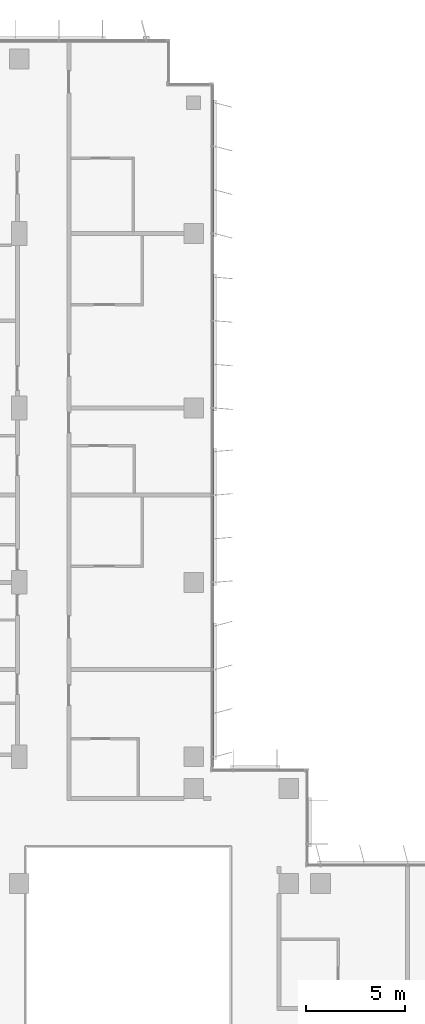
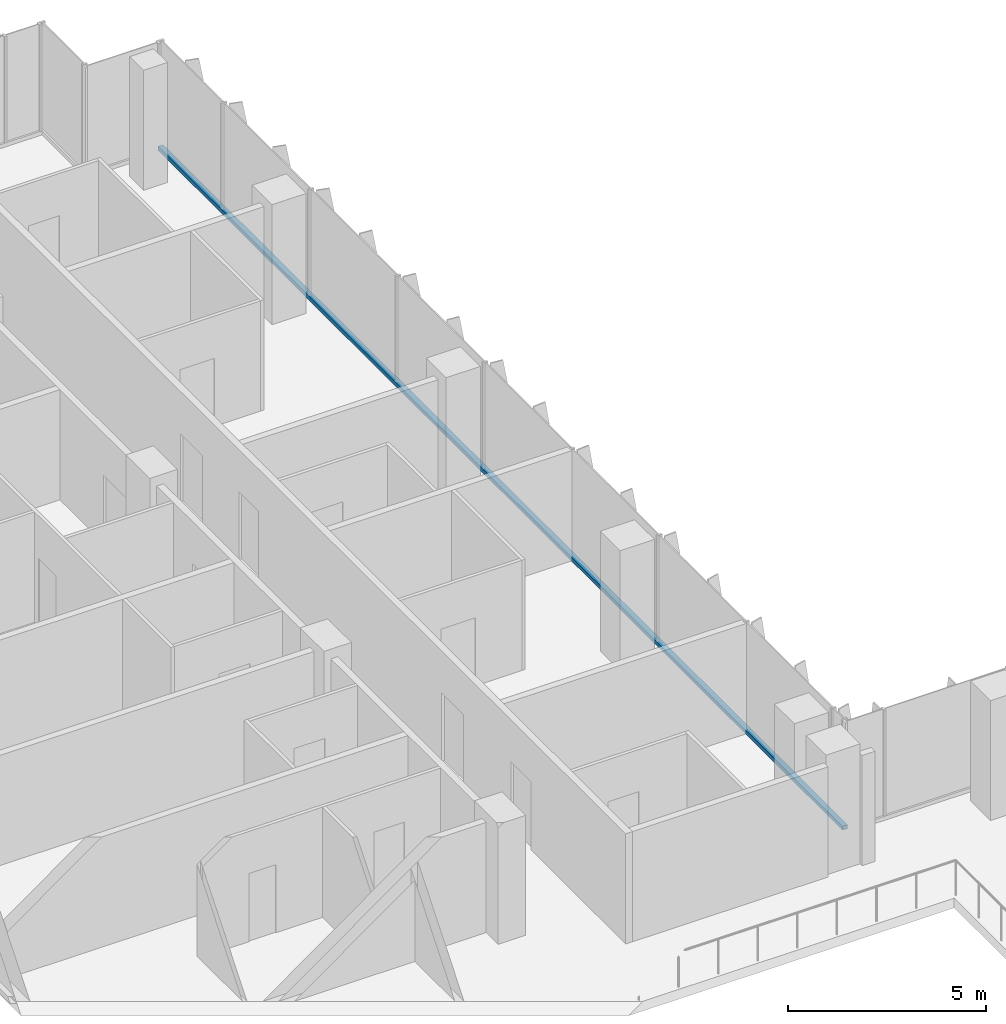
# One storey, part 6 of 21: 1 member, 1 element without a shape of its own.
"""IFC4 building model written with IfcOpenShell, lengths in metres."""

from ifc_helpers import new_model, si_unit, direction, frame, origin, origin_2d, place, context, subcontext, project, spatial, rectangle, extrude, material, material_profile, profile_set, type_object, element, aggregate, save


model = new_model("IFC4")

# Units and contexts
model_context = context("Model", 3, precision=1e-05, world=origin(), true_north=direction((0.0, 1.0)))
body_context = subcontext(model_context, "Body", "Model", "MODEL_VIEW")
ifc_project = project(units=[si_unit("LENGTHUNIT", "METRE"), si_unit("AREAUNIT", "SQUARE_METRE"), si_unit("VOLUMEUNIT", "CUBIC_METRE"), si_unit("PLANEANGLEUNIT", "RADIAN"), si_unit("MASSUNIT", "GRAM", prefix="KILO")], contexts=[model_context])

# Site, building, storey
site_placement = place(None, origin())
site = spatial("IfcSite", under=ifc_project, at=site_placement, CompositionType="ELEMENT")
building_placement = place(site_placement, origin())
building = spatial("IfcBuilding", under=site, at=building_placement, Name="Kemantara Hotel Tower", CompositionType="ELEMENT")
storey_placement = place(building_placement, frame((0.0, 0.0, 179.0)))
storey = spatial("IfcBuildingStorey", under=building, at=storey_placement, Name="L44", CompositionType="ELEMENT", Elevation=179.0)

# Curtain wall, member
ifc_material_1 = material(Name="Low-E tinted double insulated glass 36 mm", Category="glass")
curtain_wall_type = type_object("IfcCurtainWallType", Name="TOWER CURTAIN WALL, FRONT FACES", PredefinedType="USERDEFINED", material=ifc_material_1)
curtain_wall_placement = place(storey_placement, origin())
curtain_wall = element("IfcCurtainWall", 1, at=curtain_wall_placement, inside=storey, type_object=curtain_wall_type, Name="CW4 L44 T3-R17-1", ObjectType="TOWER CURTAIN WALL, FRONT FACES", PredefinedType="USERDEFINED")
ifc_material_2 = material(Name="Aluminium 6063-T6 bronze anodised", Category="aluminium")
ifc_material_profile = material_profile(ifc_material_2, rectangle(XDim=0.14990234375, YDim=0.1201171875, at=origin_2d()), Name="TOWER CURTAIN WALL, FRONT FACES TRANSOM")
ifc_profile_set = profile_set([ifc_material_profile], Name="Aluminium 6063-T6 bronze anodised")
member_type = type_object("IfcMemberType", Name="TOWER CURTAIN WALL, FRONT FACES TRANSOM", PredefinedType="USERDEFINED", material=ifc_profile_set)
member_placement = place(storey_placement, frame((21.925048828125, 26.800048828125, 0.06005859375), z_axis=(0.0, 1.0, 0.0), x_axis=(-1.0, 0.0, 0.0)))
member = element("IfcMember", 2, at=member_placement, type_object=member_type, Name="CW4 sill transom T3-R17-1", ObjectType="TRANSOM", PredefinedType="USERDEFINED", context=body_context, shape_type="SweptSolid", body=[
    extrude(rectangle(XDim=0.14990234375, YDim=0.1201171875, at=origin_2d()), origin(), (0.0, 0.0, 1.0), 34.599853515625),
])
aggregate(curtain_wall, [member])

save(model, "model.ifc")
